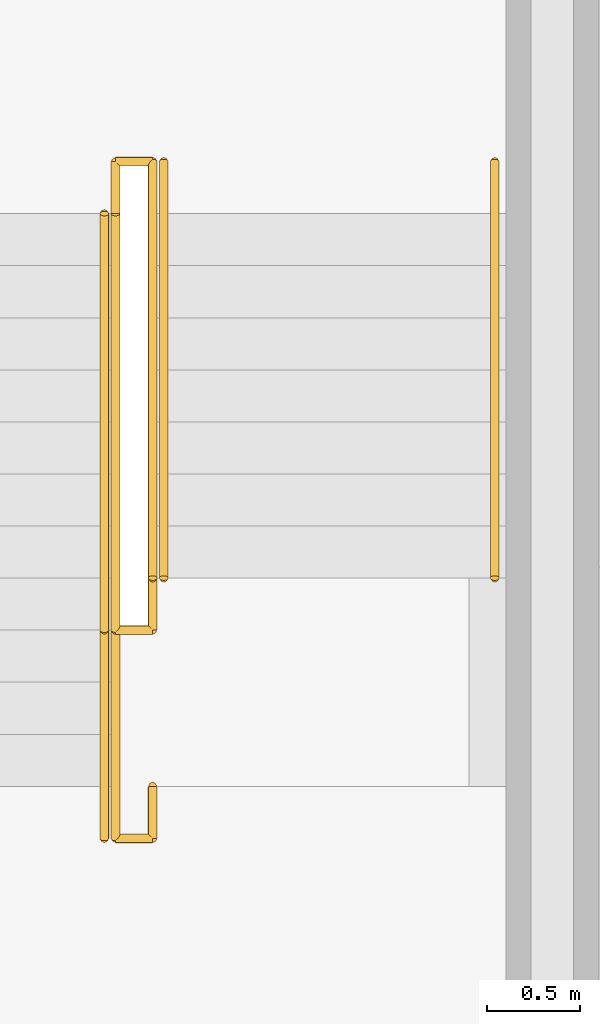
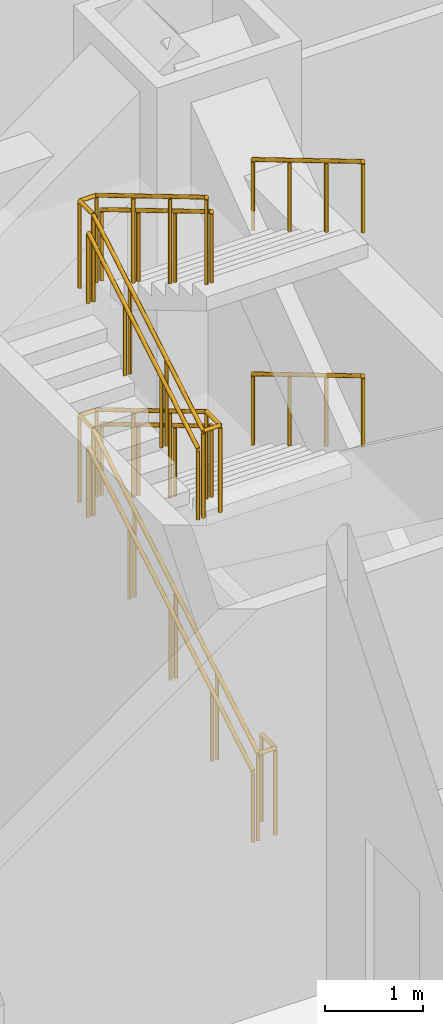
# One storey, part 29 of 35: 7 railings.
"""IFC4 building model written with IfcOpenShell, lengths in metres."""

import ifcopenshell
import ifcopenshell.guid

model = None  # the IFC model being written
_history = None  # IfcOwnerHistory: only IFC2X3 demands one
_inside = {}  # id of a spatial element -> (the spatial element, [elements in it])
_under = {}  # id of a project, library or spatial element -> (it, [spatial elements below it])
_declared = {}  # id of a project -> (the project, [libraries it declares])
_typed = {}  # id of a type object -> (the type object, [elements of that type])
_made_of = {}  # id of a material, layer set ... -> (it, [elements and type objects made of it])


def new_model(schema):
    """Start an empty IFC model of exactly this schema.

    Asked for "IFC4X3", IfcOpenShell would pick the latest addendum, in which some entities
    have other attributes; the version numbers below select the first issue.
    IFC2X3 requires an IfcOwnerHistory on every rooted entity: one is made here for all.
    """
    global model, _history
    if schema == "IFC4X3":
        model = ifcopenshell.file(schema_version=(4, 3, 0, 0))
    else:
        model = ifcopenshell.file(schema=schema)
    _inside.clear()
    _under.clear()
    _declared.clear()
    _typed.clear()
    _made_of.clear()
    _history = None
    if model.schema == "IFC2X3":
        org = make("IfcOrganization", Name="unknown")
        user = make(
            "IfcPersonAndOrganization",
            ThePerson=make("IfcPerson", FamilyName="unknown"),
            TheOrganization=org,
        )
        app = make(
            "IfcApplication",
            ApplicationDeveloper=org,
            Version="unknown",
            ApplicationFullName="unknown",
            ApplicationIdentifier="unknown",
        )
        _history = make(
            "IfcOwnerHistory",
            OwningUser=user,
            OwningApplication=app,
            ChangeAction="ADDED",
            CreationDate=0,
        )
    return model


def make(cls, **values):
    """One entity of the class cls with the attributes given. An attribute that is None is left unset."""
    return model.create_entity(
        cls, **{name: value for name, value in values.items() if value is not None}
    )


def rooted(cls, **values):
    """An entity with a GlobalId (a new one), such as an element, a storey or a relation."""
    return make(cls, GlobalId=ifcopenshell.guid.new(), OwnerHistory=_history, **values)


def si_unit(unit_type, name, prefix=None):
    """IfcSIUnit, for example si_unit("LENGTHUNIT", "METRE", prefix="MILLI")."""
    return make("IfcSIUnit", UnitType=unit_type, Prefix=prefix, Name=name)


def assignment(units):
    """IfcUnitAssignment: the units of a project."""
    return None if units is None else make("IfcUnitAssignment", Units=units)


def point(xyz):
    """IfcCartesianPoint."""
    return None if xyz is None else make("IfcCartesianPoint", Coordinates=xyz)


def direction(xyz):
    """IfcDirection."""
    return None if xyz is None else make("IfcDirection", DirectionRatios=xyz)


def frame(location, z_axis=None, x_axis=None):
    """IfcAxis2Placement3D, a coordinate frame: its origin and axes. An axis left out is left unset."""
    return make(
        "IfcAxis2Placement3D",
        Location=point(location),
        Axis=direction(z_axis),
        RefDirection=direction(x_axis),
    )


def frame_2d(location, x_axis=None):
    """IfcAxis2Placement2D, a coordinate frame in the plane: its origin and x axis."""
    return make(
        "IfcAxis2Placement2D", Location=point(location), RefDirection=direction(x_axis)
    )


def origin():
    """The frame at (0, 0, 0) with its axes left unset."""
    return frame((0.0, 0.0, 0.0))


def origin_2d():
    """The frame at (0, 0) in the plane with its x axis left unset."""
    return frame_2d((0.0, 0.0))


def place(relative_to, where):
    """IfcLocalPlacement: puts the frame where relative to a parent placement (None: the world)."""
    return make(
        "IfcLocalPlacement", PlacementRelTo=relative_to, RelativePlacement=where
    )


def context(
    kind, dimensions, precision=None, world=None, true_north=None, identifier=None
):
    """IfcGeometricRepresentationContext, for example the 3D "Model" context."""
    return make(
        "IfcGeometricRepresentationContext",
        ContextIdentifier=identifier,
        ContextType=kind,
        CoordinateSpaceDimension=dimensions,
        Precision=precision,
        WorldCoordinateSystem=world,
        TrueNorth=true_north,
    )


def subcontext(parent, identifier, kind, view, scale=None):
    """IfcGeometricRepresentationSubContext, for example "Body" below "Model"."""
    return make(
        "IfcGeometricRepresentationSubContext",
        ContextIdentifier=identifier,
        ContextType=kind,
        ParentContext=parent,
        TargetScale=scale,
        TargetView=view,
    )


def project(units=None, contexts=None):
    """IfcProject with its units and contexts."""
    return rooted(
        "IfcProject",
        Name="project",
        RepresentationContexts=contexts,
        UnitsInContext=assignment(units),
    )


def spatial(cls, under=None, at=None, **own):
    """A site, building, storey or space (cls), placed at a placement, below another one or the project."""
    s = rooted(cls, ObjectPlacement=at, **own)
    if under is not None:
        _under.setdefault(under.id(), (under, []))[1].append(s)
    return s


def profile(cls, at=None, kind="AREA", **sizes):
    """A parametric profile (cls). Its sizes go by their IFC names, for example OverallWidth=200.0."""
    return make(cls, ProfileType=kind, Position=at, **sizes)


def circle(**sizes):
    """IfcCircleProfileDef."""
    return profile("IfcCircleProfileDef", **sizes)


def extrude(swept, where, along, depth):
    """IfcExtrudedAreaSolid: the profile swept, set in the frame where, extruded along a direction by depth."""
    return make(
        "IfcExtrudedAreaSolid",
        SweptArea=swept,
        Position=where,
        ExtrudedDirection=direction(along),
        Depth=depth,
    )


def shape(context_of_items, identifier, shape_type, items):
    """IfcShapeRepresentation: the items that make up one representation, for example the "Body"."""
    return make(
        "IfcShapeRepresentation",
        ContextOfItems=context_of_items,
        RepresentationIdentifier=identifier,
        RepresentationType=shape_type,
        Items=items,
    )


def material(Name=None, Category=None):
    """IfcMaterial."""
    return make("IfcMaterial", Name=Name, Category=Category)


def made_of(thing, what):
    """Note that an element or type object is made of a material, layer set ...; save() writes the relation."""
    if what is not None:
        _made_of.setdefault(what.id(), (what, []))[1].append(thing)
    return thing


def type_object(cls, material=None, **own):
    """A type object (cls), such as IfcWallType, which elements share."""
    return made_of(rooted(cls, **own), material)


def element(
    cls,
    number,
    at=None,
    inside=None,
    cuts=None,
    type_object=None,
    material=None,
    context=None,
    identifier="Body",
    shape_type=None,
    held_by="IfcProductDefinitionShape",
    body=None,
    shapes=None,
    **own,
):
    """One element of the class cls, such as IfcWall. Its Tag is "e" and its number.

    at: its placement. inside: the storey or other place that contains it. cuts: it is an
    opening in that element (IfcRelVoidsElement). A single representation is given by context,
    identifier, shape_type and body (its items); several are given by shapes. held_by: the class
    of the entity that holds the representations. save() writes the other relations.
    """
    e = rooted(cls, Tag="e%d" % number, ObjectPlacement=at, **own)
    if body is not None:
        shapes = [shape(context, identifier, shape_type, body)]
    if shapes is not None:
        e.Representation = make(held_by, Representations=shapes)
    if inside is not None:
        _inside.setdefault(inside.id(), (inside, []))[1].append(e)
    if cuts is not None:
        rooted(
            "IfcRelVoidsElement", RelatingBuildingElement=cuts, RelatedOpeningElement=e
        )
    if type_object is not None:
        _typed.setdefault(type_object.id(), (type_object, []))[1].append(e)
    return made_of(e, material)


def aggregate(whole, parts):
    """IfcRelAggregates: a whole, such as a stair, and the parts it consists of."""
    return rooted("IfcRelAggregates", RelatingObject=whole, RelatedObjects=parts)


def save(model, path):
    """Write the relations noted so far, then the file.

    IfcRelAggregates (storeys below a building ...), IfcRelContainedInSpatialStructure (elements
    in a storey), IfcRelDefinesByType, IfcRelAssociatesMaterial and IfcRelDeclares: one each for
    every whole, place, type object, material and project.
    """
    for whole, parts in _under.values():
        aggregate(whole, parts)
    for where, things in _inside.values():
        rooted(
            "IfcRelContainedInSpatialStructure",
            RelatedElements=things,
            RelatingStructure=where,
        )
    for kind, things in _typed.values():
        rooted("IfcRelDefinesByType", RelatedObjects=things, RelatingType=kind)
    for what, things in _made_of.values():
        rooted("IfcRelAssociatesMaterial", RelatedObjects=things, RelatingMaterial=what)
    for by, libraries in _declared.values():
        rooted("IfcRelDeclares", RelatingContext=by, RelatedDefinitions=libraries)
    model.write(path)


model = new_model("IFC4")

# Units and contexts
model_context = context("Model", 3, precision=1e-05, world=origin(), true_north=direction((0.0, 1.0)))
body_context = subcontext(model_context, "Body", "Model", "MODEL_VIEW")
ifc_project = project(units=[si_unit("LENGTHUNIT", "METRE"), si_unit("AREAUNIT", "SQUARE_METRE"), si_unit("VOLUMEUNIT", "CUBIC_METRE"), si_unit("PLANEANGLEUNIT", "RADIAN"), si_unit("MASSUNIT", "GRAM", prefix="KILO")], contexts=[model_context])

# Site, building, storey
site_placement = place(None, origin())
site = spatial("IfcSite", under=ifc_project, at=site_placement, CompositionType="ELEMENT")
building_placement = place(site_placement, origin())
building = spatial("IfcBuilding", under=site, at=building_placement, Name="Kopane Lantern Tower", CompositionType="ELEMENT")
storey_placement = place(building_placement, origin())
storey = spatial("IfcBuildingStorey", under=building, at=storey_placement, Name="L00", CompositionType="ELEMENT", Elevation=0.0)

# Railings
ifc_material_1 = material(Name="Steel", Category="steel")
railing_type_1 = type_object("IfcRailingType", Name="STAIR GUARD 1100", PredefinedType="GUARDRAIL", material=ifc_material_1)
railing_1_placement = place(storey_placement, frame((38.35009765625, 35.27001953125, 0.0)))
element("IfcRailing", 1, at=railing_1_placement, inside=storey, type_object=railing_type_1, Name="ST2 well guard L00", PredefinedType="GUARDRAIL", context=body_context, shape_type="SweptSolid", body=[
    extrude(circle(Radius=0.02392578125, at=origin_2d()), frame((0.0, 0.0, 1.076171875), z_axis=(0.0, -1.0, 0.0), x_axis=(1.0, 0.0, 0.0)), (0.0, 0.0, 1.0), 0.280029296875),
    extrude(circle(Radius=0.02392578125, at=origin_2d()), frame((0.0, -0.280029296875, 1.076171875), z_axis=(-1.0, 0.0, 0.0), x_axis=(0.0, -1.0, 0.0)), (0.0, 0.0, 1.0), 0.2001953125),
    extrude(circle(Radius=0.02392578125, at=origin_2d()), frame((-0.2001953125, -0.280029296875, 1.076171875), z_axis=(0.0, 0.859300071335, 0.511471785539), x_axis=(-1.0, 0.0, 0.0)), (0.0, 0.0, 1.0), 3.910400390625),
    extrude(circle(Radius=0.02392578125, at=origin_2d()), frame((-0.2001953125, 3.080078125, 3.076171875), z_axis=(0.0, 1.0, 0.0), x_axis=(-1.0, 0.0, 0.0)), (0.0, 0.0, 1.0), 0.27978515625),
    extrude(circle(Radius=0.02392578125, at=origin_2d()), frame((-0.2001953125, 3.35986328125, 3.076171875), z_axis=(1.0, 0.0, 0.0), x_axis=(0.0, 1.0, 0.0)), (0.0, 0.0, 1.0), 0.2001953125),
    extrude(circle(Radius=0.02392578125, at=origin_2d()), frame((0.0, 3.35986328125, 3.076171875), z_axis=(0.0, -0.859305625298, 0.511462454469), x_axis=(1.0, 0.0, 0.0)), (0.0, 0.0, 1.0), 2.606689453125),
    extrude(circle(Radius=0.02392578125, at=origin_2d()), frame((0.0, 1.119873046875, 4.4091796875), z_axis=(0.0, -1.0, 0.0), x_axis=(1.0, 0.0, 0.0)), (0.0, 0.0, 1.0), 0.27978515625),
    extrude(circle(Radius=0.02392578125, at=origin_2d()), frame((0.0, 0.840087890625, 4.4091796875), z_axis=(-1.0, 0.0, 0.0), x_axis=(0.0, -1.0, 0.0)), (0.0, 0.0, 1.0), 0.2001953125),
    extrude(circle(Radius=0.02392578125, at=origin_2d()), frame((-0.2001953125, 0.840087890625, 4.4091796875), z_axis=(0.0, 0.859264461869, 0.511531606619), x_axis=(-1.0, 0.0, 0.0)), (0.0, 0.0, 1.0), 2.60693359375),
    extrude(circle(Radius=0.02392578125, at=origin_2d()), frame((-0.2001953125, 3.080078125, 5.74267578125), z_axis=(0.0, 1.0, 0.0), x_axis=(-1.0, 0.0, 0.0)), (0.0, 0.0, 1.0), 0.27978515625),
    extrude(circle(Radius=0.02392578125, at=origin_2d()), frame((-0.2001953125, 3.35986328125, 5.74267578125), z_axis=(1.0, 0.0, 0.0), x_axis=(0.0, 1.0, 0.0)), (0.0, 0.0, 1.0), 0.2001953125),
    extrude(circle(Radius=0.02392578125, at=origin_2d()), frame((0.0, 3.35986328125, 5.74267578125), z_axis=(0.0, -0.859305625298, 0.511462454469), x_axis=(1.0, 0.0, 0.0)), (0.0, 0.0, 1.0), 2.606689453125),
    extrude(circle(Radius=0.02099609375, at=origin_2d()), origin(), (0.0, 0.0, 1.0), 1.052001953125),
    extrude(circle(Radius=0.02099609375, at=origin_2d()), frame((0.0, -0.280029296875, 0.0)), (0.0, 0.0, 1.0), 1.052001953125),
    extrude(circle(Radius=0.02099609375, at=origin_2d()), frame((-0.2001953125, -0.280029296875, 0.0)), (0.0, 0.0, 1.0), 1.052001953125),
    extrude(circle(Radius=0.02099609375, at=origin_2d()), frame((-0.2001953125, 0.56005859375, 0.5)), (0.0, 0.0, 1.0), 1.052001953125),
    extrude(circle(Radius=0.02099609375, at=origin_2d()), frame((-0.2001953125, 1.39990234375, 1.0)), (0.0, 0.0, 1.0), 1.052001953125),
    extrude(circle(Radius=0.02099609375, at=origin_2d()), frame((-0.2001953125, 2.239990234375, 1.5)), (0.0, 0.0, 1.0), 1.052001953125),
    extrude(circle(Radius=0.02099609375, at=origin_2d()), frame((-0.2001953125, 3.080078125, 2.0)), (0.0, 0.0, 1.0), 1.052001953125),
    extrude(circle(Radius=0.02099609375, at=origin_2d()), frame((-0.2001953125, 3.35986328125, 2.0)), (0.0, 0.0, 1.0), 1.052001953125),
    extrude(circle(Radius=0.02099609375, at=origin_2d()), frame((0.0, 3.35986328125, 2.0)), (0.0, 0.0, 1.0), 1.052001953125),
    extrude(circle(Radius=0.02099609375, at=origin_2d()), frame((0.0, 2.61328125, 2.4443359375)), (0.0, 0.0, 1.0), 1.052001953125),
    extrude(circle(Radius=0.02099609375, at=origin_2d()), frame((0.0, 1.866455078125, 2.888916015625)), (0.0, 0.0, 1.0), 1.052001953125),
    extrude(circle(Radius=0.02099609375, at=origin_2d()), frame((0.0, 1.119873046875, 3.333251953125)), (0.0, 0.0, 1.0), 1.052001953125),
    extrude(circle(Radius=0.02099609375, at=origin_2d()), frame((0.0, 0.840087890625, 3.333251953125)), (0.0, 0.0, 1.0), 1.052001953125),
    extrude(circle(Radius=0.02099609375, at=origin_2d()), frame((-0.2001953125, 0.840087890625, 3.333251953125)), (0.0, 0.0, 1.0), 1.052001953125),
    extrude(circle(Radius=0.02099609375, at=origin_2d()), frame((-0.2001953125, 1.586669921875, 3.77783203125)), (0.0, 0.0, 1.0), 1.052001953125),
    extrude(circle(Radius=0.02099609375, at=origin_2d()), frame((-0.2001953125, 2.33349609375, 4.22216796875)), (0.0, 0.0, 1.0), 1.052001953125),
    extrude(circle(Radius=0.02099609375, at=origin_2d()), frame((-0.2001953125, 3.080078125, 4.666748046875)), (0.0, 0.0, 1.0), 1.052001953125),
    extrude(circle(Radius=0.02099609375, at=origin_2d()), frame((-0.2001953125, 3.35986328125, 4.666748046875)), (0.0, 0.0, 1.0), 1.052001953125),
    extrude(circle(Radius=0.02099609375, at=origin_2d()), frame((0.0, 3.35986328125, 4.666748046875)), (0.0, 0.0, 1.0), 1.052001953125),
    extrude(circle(Radius=0.02099609375, at=origin_2d()), frame((0.0, 2.61328125, 5.111083984375)), (0.0, 0.0, 1.0), 1.052001953125),
    extrude(circle(Radius=0.02099609375, at=origin_2d()), frame((0.0, 1.866455078125, 5.5556640625)), (0.0, 0.0, 1.0), 1.052001953125),
    extrude(circle(Radius=0.02099609375, at=origin_2d()), frame((0.0, 1.119873046875, 6.0)), (0.0, 0.0, 1.0), 1.052001953125),
])
ifc_material_2 = material(Name="Steel", Category="steel")
railing_type_2 = type_object("IfcRailingType", Name="STAIR HANDRAIL 900", PredefinedType="HANDRAIL", material=ifc_material_2)
railing_2_placement = place(storey_placement, frame((38.090087890625, 34.989990234375, 0.0)))
element("IfcRailing", 2, at=railing_2_placement, inside=storey, type_object=railing_type_2, Name="ST2 handrail L00 flight 1", PredefinedType="HANDRAIL", context=body_context, shape_type="SweptSolid", body=[
    extrude(circle(Radius=0.02392578125, at=origin_2d()), frame((0.0, 0.0, 0.8759765625), z_axis=(0.0, 0.859300071335, 0.511471785539), x_axis=(-1.0, 0.0, 0.0)), (0.0, 0.0, 1.0), 3.910400390625),
    extrude(circle(Radius=0.02099609375, at=origin_2d()), origin(), (0.0, 0.0, 1.0), 0.851806640625),
    extrude(circle(Radius=0.02099609375, at=origin_2d()), frame((0.0, 0.840087890625, 0.5)), (0.0, 0.0, 1.0), 0.851806640625),
    extrude(circle(Radius=0.02099609375, at=origin_2d()), frame((0.0, 1.68017578125, 1.0)), (0.0, 0.0, 1.0), 0.851806640625),
    extrude(circle(Radius=0.02099609375, at=origin_2d()), frame((0.0, 2.52001953125, 1.5)), (0.0, 0.0, 1.0), 0.851806640625),
    extrude(circle(Radius=0.02099609375, at=origin_2d()), frame((0.0, 3.360107421875, 2.0)), (0.0, 0.0, 1.0), 0.851806640625),
])
for number, where, name in (
    (3, (40.18994140625, 38.6298828125, 2.0), "ST2 handrail L00 flight 2"),
    (4, (38.409912109375, 38.6298828125, 2.0), "ST2 handrail L00 flight 2"),
):
    element("IfcRailing", number, at=place(storey_placement, frame(where)), inside=storey, type_object=railing_type_2, Name=name, PredefinedType="HANDRAIL", context=body_context, shape_type="SweptSolid", body=[
        extrude(circle(Radius=0.02392578125, at=origin_2d()), frame((0.0, 0.0, 0.8759765625), z_axis=(0.0, -0.859305625298, 0.511462454469), x_axis=(1.0, 0.0, 0.0)), (0.0, 0.0, 1.0), 2.606689453125),
        extrude(circle(Radius=0.02099609375, at=origin_2d()), origin(), (0.0, 0.0, 1.0), 0.851806640625),
        extrude(circle(Radius=0.02099609375, at=origin_2d()), frame((0.0, -0.74658203125, 0.4443359375)), (0.0, 0.0, 1.0), 0.851806640625),
        extrude(circle(Radius=0.02099609375, at=origin_2d()), frame((0.0, -1.493408203125, 0.888916015625)), (0.0, 0.0, 1.0), 0.851806640625),
        extrude(circle(Radius=0.02099609375, at=origin_2d()), frame((0.0, -2.239990234375, 1.333251953125)), (0.0, 0.0, 1.0), 0.851806640625),
    ])
railing_3_placement = place(storey_placement, frame((38.090087890625, 36.110107421875, 3.333251953125)))
element("IfcRailing", 5, at=railing_3_placement, inside=storey, type_object=railing_type_2, Name="ST2 handrail L00 flight 3", PredefinedType="HANDRAIL", context=body_context, shape_type="SweptSolid", body=[
    extrude(circle(Radius=0.02392578125, at=origin_2d()), frame((0.0, 0.0, 0.8759765625), z_axis=(0.0, 0.859264461869, 0.511531606619), x_axis=(-1.0, 0.0, 0.0)), (0.0, 0.0, 1.0), 2.60693359375),
    extrude(circle(Radius=0.02099609375, at=origin_2d()), origin(), (0.0, 0.0, 1.0), 0.851806640625),
    extrude(circle(Radius=0.02099609375, at=origin_2d()), frame((0.0, 0.74658203125, 0.444580078125)), (0.0, 0.0, 1.0), 0.851806640625),
    extrude(circle(Radius=0.02099609375, at=origin_2d()), frame((0.0, 1.493408203125, 0.888916015625)), (0.0, 0.0, 1.0), 0.851806640625),
    extrude(circle(Radius=0.02099609375, at=origin_2d()), frame((0.0, 2.239990234375, 1.33349609375)), (0.0, 0.0, 1.0), 0.851806640625),
])
for number, where, name in (
    (6, (40.18994140625, 38.6298828125, 4.666748046875), "ST2 handrail L00 flight 4"),
    (7, (38.409912109375, 38.6298828125, 4.666748046875), "ST2 handrail L00 flight 4"),
):
    element("IfcRailing", number, at=place(storey_placement, frame(where)), inside=storey, type_object=railing_type_2, Name=name, PredefinedType="HANDRAIL", context=body_context, shape_type="SweptSolid", body=[
        extrude(circle(Radius=0.02392578125, at=origin_2d()), frame((0.0, 0.0, 0.8759765625), z_axis=(0.0, -0.859305625298, 0.511462454469), x_axis=(1.0, 0.0, 0.0)), (0.0, 0.0, 1.0), 2.606689453125),
        extrude(circle(Radius=0.02099609375, at=origin_2d()), origin(), (0.0, 0.0, 1.0), 0.851806640625),
        extrude(circle(Radius=0.02099609375, at=origin_2d()), frame((0.0, -0.74658203125, 0.4443359375)), (0.0, 0.0, 1.0), 0.851806640625),
        extrude(circle(Radius=0.02099609375, at=origin_2d()), frame((0.0, -1.493408203125, 0.888916015625)), (0.0, 0.0, 1.0), 0.851806640625),
        extrude(circle(Radius=0.02099609375, at=origin_2d()), frame((0.0, -2.239990234375, 1.333251953125)), (0.0, 0.0, 1.0), 0.851806640625),
    ])

save(model, "model.ifc")
